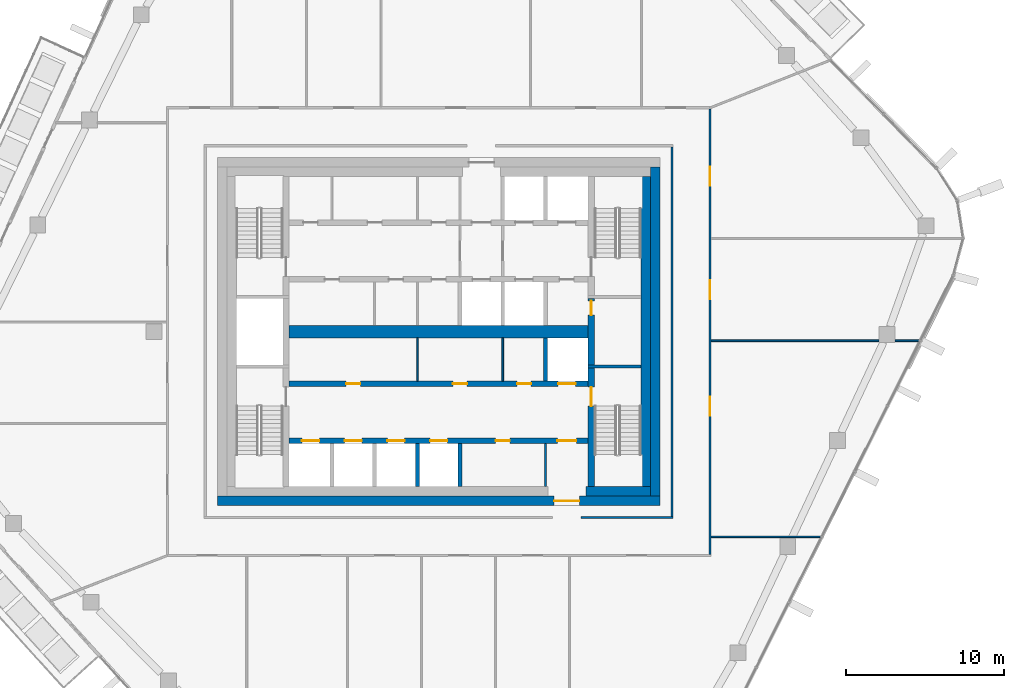
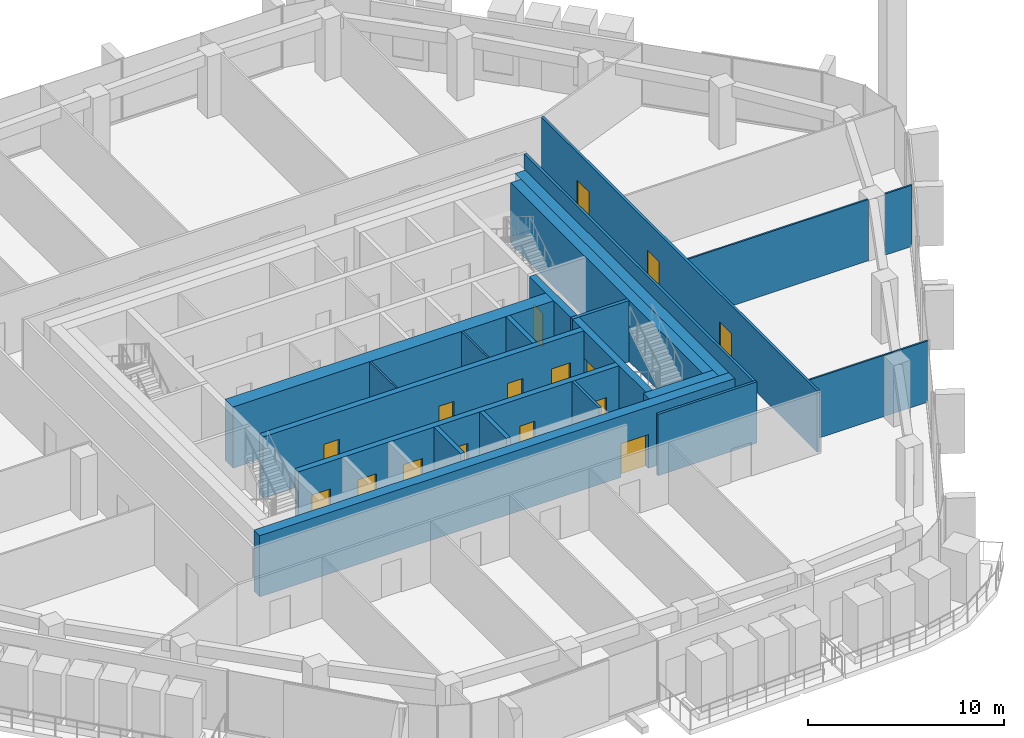
# One storey, part 14 of 24: 22 walls, 16 doors, 16 openings.
"""IFC4 building model written with IfcOpenShell, lengths in metres."""

import ifcopenshell
import ifcopenshell.guid

model = None  # the IFC model being written
_history = None  # IfcOwnerHistory: only IFC2X3 demands one
_inside = {}  # id of a spatial element -> (the spatial element, [elements in it])
_under = {}  # id of a project, library or spatial element -> (it, [spatial elements below it])
_declared = {}  # id of a project -> (the project, [libraries it declares])
_typed = {}  # id of a type object -> (the type object, [elements of that type])
_made_of = {}  # id of a material, layer set ... -> (it, [elements and type objects made of it])


def new_model(schema):
    """Start an empty IFC model of exactly this schema.

    Asked for "IFC4X3", IfcOpenShell would pick the latest addendum, in which some entities
    have other attributes; the version numbers below select the first issue.
    IFC2X3 requires an IfcOwnerHistory on every rooted entity: one is made here for all.
    """
    global model, _history
    if schema == "IFC4X3":
        model = ifcopenshell.file(schema_version=(4, 3, 0, 0))
    else:
        model = ifcopenshell.file(schema=schema)
    _inside.clear()
    _under.clear()
    _declared.clear()
    _typed.clear()
    _made_of.clear()
    _history = None
    if model.schema == "IFC2X3":
        org = make("IfcOrganization", Name="unknown")
        user = make(
            "IfcPersonAndOrganization",
            ThePerson=make("IfcPerson", FamilyName="unknown"),
            TheOrganization=org,
        )
        app = make(
            "IfcApplication",
            ApplicationDeveloper=org,
            Version="unknown",
            ApplicationFullName="unknown",
            ApplicationIdentifier="unknown",
        )
        _history = make(
            "IfcOwnerHistory",
            OwningUser=user,
            OwningApplication=app,
            ChangeAction="ADDED",
            CreationDate=0,
        )
    return model


def make(cls, **values):
    """One entity of the class cls with the attributes given. An attribute that is None is left unset."""
    return model.create_entity(
        cls, **{name: value for name, value in values.items() if value is not None}
    )


def rooted(cls, **values):
    """An entity with a GlobalId (a new one), such as an element, a storey or a relation."""
    return make(cls, GlobalId=ifcopenshell.guid.new(), OwnerHistory=_history, **values)


def si_unit(unit_type, name, prefix=None):
    """IfcSIUnit, for example si_unit("LENGTHUNIT", "METRE", prefix="MILLI")."""
    return make("IfcSIUnit", UnitType=unit_type, Prefix=prefix, Name=name)


def assignment(units):
    """IfcUnitAssignment: the units of a project."""
    return None if units is None else make("IfcUnitAssignment", Units=units)


def point(xyz):
    """IfcCartesianPoint."""
    return None if xyz is None else make("IfcCartesianPoint", Coordinates=xyz)


def direction(xyz):
    """IfcDirection."""
    return None if xyz is None else make("IfcDirection", DirectionRatios=xyz)


def frame(location, z_axis=None, x_axis=None):
    """IfcAxis2Placement3D, a coordinate frame: its origin and axes. An axis left out is left unset."""
    return make(
        "IfcAxis2Placement3D",
        Location=point(location),
        Axis=direction(z_axis),
        RefDirection=direction(x_axis),
    )


def frame_2d(location, x_axis=None):
    """IfcAxis2Placement2D, a coordinate frame in the plane: its origin and x axis."""
    return make(
        "IfcAxis2Placement2D", Location=point(location), RefDirection=direction(x_axis)
    )


def origin():
    """The frame at (0, 0, 0) with its axes left unset."""
    return frame((0.0, 0.0, 0.0))


def place(relative_to, where):
    """IfcLocalPlacement: puts the frame where relative to a parent placement (None: the world)."""
    return make(
        "IfcLocalPlacement", PlacementRelTo=relative_to, RelativePlacement=where
    )


def context(
    kind, dimensions, precision=None, world=None, true_north=None, identifier=None
):
    """IfcGeometricRepresentationContext, for example the 3D "Model" context."""
    return make(
        "IfcGeometricRepresentationContext",
        ContextIdentifier=identifier,
        ContextType=kind,
        CoordinateSpaceDimension=dimensions,
        Precision=precision,
        WorldCoordinateSystem=world,
        TrueNorth=true_north,
    )


def subcontext(parent, identifier, kind, view, scale=None):
    """IfcGeometricRepresentationSubContext, for example "Body" below "Model"."""
    return make(
        "IfcGeometricRepresentationSubContext",
        ContextIdentifier=identifier,
        ContextType=kind,
        ParentContext=parent,
        TargetScale=scale,
        TargetView=view,
    )


def project(units=None, contexts=None):
    """IfcProject with its units and contexts."""
    return rooted(
        "IfcProject",
        Name="project",
        RepresentationContexts=contexts,
        UnitsInContext=assignment(units),
    )


def spatial(cls, under=None, at=None, **own):
    """A site, building, storey or space (cls), placed at a placement, below another one or the project."""
    s = rooted(cls, ObjectPlacement=at, **own)
    if under is not None:
        _under.setdefault(under.id(), (under, []))[1].append(s)
    return s


def profile(cls, at=None, kind="AREA", **sizes):
    """A parametric profile (cls). Its sizes go by their IFC names, for example OverallWidth=200.0."""
    return make(cls, ProfileType=kind, Position=at, **sizes)


def rectangle(**sizes):
    """IfcRectangleProfileDef."""
    return profile("IfcRectangleProfileDef", **sizes)


def extrude(swept, where, along, depth):
    """IfcExtrudedAreaSolid: the profile swept, set in the frame where, extruded along a direction by depth."""
    return make(
        "IfcExtrudedAreaSolid",
        SweptArea=swept,
        Position=where,
        ExtrudedDirection=direction(along),
        Depth=depth,
    )


def shape(context_of_items, identifier, shape_type, items):
    """IfcShapeRepresentation: the items that make up one representation, for example the "Body"."""
    return make(
        "IfcShapeRepresentation",
        ContextOfItems=context_of_items,
        RepresentationIdentifier=identifier,
        RepresentationType=shape_type,
        Items=items,
    )


def material(Name=None, Category=None):
    """IfcMaterial."""
    return make("IfcMaterial", Name=Name, Category=Category)


def layer(
    of_material, thickness, ventilated=None, Name=None, Category=None, Priority=None
):
    """IfcMaterialLayer: one layer of a wall or slab, of a material (None: an air gap)."""
    return make(
        "IfcMaterialLayer",
        Material=of_material,
        LayerThickness=thickness,
        IsVentilated=ventilated,
        Name=Name,
        Category=Category,
        Priority=Priority,
    )


def layer_set(layers, Name=None):
    """IfcMaterialLayerSet."""
    return make("IfcMaterialLayerSet", MaterialLayers=layers, LayerSetName=Name)


def made_of(thing, what):
    """Note that an element or type object is made of a material, layer set ...; save() writes the relation."""
    if what is not None:
        _made_of.setdefault(what.id(), (what, []))[1].append(thing)
    return thing


def type_object(cls, material=None, **own):
    """A type object (cls), such as IfcWallType, which elements share."""
    return made_of(rooted(cls, **own), material)


def element(
    cls,
    number,
    at=None,
    inside=None,
    cuts=None,
    type_object=None,
    material=None,
    context=None,
    identifier="Body",
    shape_type=None,
    held_by="IfcProductDefinitionShape",
    body=None,
    shapes=None,
    **own,
):
    """One element of the class cls, such as IfcWall. Its Tag is "e" and its number.

    at: its placement. inside: the storey or other place that contains it. cuts: it is an
    opening in that element (IfcRelVoidsElement). A single representation is given by context,
    identifier, shape_type and body (its items); several are given by shapes. held_by: the class
    of the entity that holds the representations. save() writes the other relations.
    """
    e = rooted(cls, Tag="e%d" % number, ObjectPlacement=at, **own)
    if body is not None:
        shapes = [shape(context, identifier, shape_type, body)]
    if shapes is not None:
        e.Representation = make(held_by, Representations=shapes)
    if inside is not None:
        _inside.setdefault(inside.id(), (inside, []))[1].append(e)
    if cuts is not None:
        rooted(
            "IfcRelVoidsElement", RelatingBuildingElement=cuts, RelatedOpeningElement=e
        )
    if type_object is not None:
        _typed.setdefault(type_object.id(), (type_object, []))[1].append(e)
    return made_of(e, material)


def fill(opening, filler):
    """IfcRelFillsElement: the door or window that sits in an opening."""
    return rooted(
        "IfcRelFillsElement",
        RelatingOpeningElement=opening,
        RelatedBuildingElement=filler,
    )


def aggregate(whole, parts):
    """IfcRelAggregates: a whole, such as a stair, and the parts it consists of."""
    return rooted("IfcRelAggregates", RelatingObject=whole, RelatedObjects=parts)


def save(model, path):
    """Write the relations noted so far, then the file.

    IfcRelAggregates (storeys below a building ...), IfcRelContainedInSpatialStructure (elements
    in a storey), IfcRelDefinesByType, IfcRelAssociatesMaterial and IfcRelDeclares: one each for
    every whole, place, type object, material and project.
    """
    for whole, parts in _under.values():
        aggregate(whole, parts)
    for where, things in _inside.values():
        rooted(
            "IfcRelContainedInSpatialStructure",
            RelatedElements=things,
            RelatingStructure=where,
        )
    for kind, things in _typed.values():
        rooted("IfcRelDefinesByType", RelatedObjects=things, RelatingType=kind)
    for what, things in _made_of.values():
        rooted("IfcRelAssociatesMaterial", RelatedObjects=things, RelatingMaterial=what)
    for by, libraries in _declared.values():
        rooted("IfcRelDeclares", RelatingContext=by, RelatedDefinitions=libraries)
    model.write(path)


model = new_model("IFC4")

# Units and contexts
model_context = context("Model", 3, precision=1e-05, world=origin(), true_north=direction((0.0, 1.0)))
body_context = subcontext(model_context, "Body", "Model", "MODEL_VIEW")
ifc_project = project(units=[si_unit("LENGTHUNIT", "METRE"), si_unit("AREAUNIT", "SQUARE_METRE"), si_unit("VOLUMEUNIT", "CUBIC_METRE"), si_unit("PLANEANGLEUNIT", "RADIAN"), si_unit("MASSUNIT", "GRAM", prefix="KILO")], contexts=[model_context])

# Site, building, storey
site_placement = place(None, origin())
site = spatial("IfcSite", under=ifc_project, at=site_placement, CompositionType="ELEMENT")
building_placement = place(site_placement, origin())
building = spatial("IfcBuilding", under=site, at=building_placement, Name="Dongbaek Canopy Tower", CompositionType="ELEMENT")
storey_placement = place(building_placement, frame((0.0, 0.0, 306.800048828125)))
storey = spatial("IfcBuildingStorey", under=building, at=storey_placement, Name="L65", CompositionType="ELEMENT", Elevation=306.800048828125)

# Wall
ifc_material_1 = material(Name="Concrete C60/75", Category="concrete")
ifc_layer_1 = layer(ifc_material_1, 0.800048828125)
ifc_layer_set_1 = layer_set([ifc_layer_1], Name="Core central wall 800 Concrete C60/75")
wall_type_1 = type_object("IfcWallType", Name="Core central wall 800 Concrete C60/75", PredefinedType="SHEAR", material=ifc_layer_set_1)
wall_1_placement = place(storey_placement, frame((-9.449951171875, 0.0, 0.0), z_axis=(0.0, 0.0, 1.0), x_axis=(1.0, 0.0, 0.0)))
element("IfcWall", 1, at=wall_1_placement, inside=storey, type_object=wall_type_1, Name="Core wall", PredefinedType="SHEAR", context=body_context, shape_type="SweptSolid", body=[
    extrude(rectangle(XDim=18.89990234375, YDim=0.800048828125, at=frame_2d((9.449951171875, 0.0))), origin(), (0.0, 0.0, 1.0), 3.820068359375),
])

# Wall, openings, doors
ifc_material_2 = material(Name="Concrete C60/75", Category="concrete")
ifc_layer_2 = layer(ifc_material_2, 0.35009765625)
ifc_layer_set_2 = layer_set([ifc_layer_2], Name="Core lobby wall 350 Concrete C60/75")
wall_type_2 = type_object("IfcWallType", Name="Core lobby wall 350 Concrete C60/75", PredefinedType="SHEAR", material=ifc_layer_set_2)
wall_2_placement = place(storey_placement, frame((-9.449951171875, -3.300048828125, 0.0), z_axis=(0.0, 0.0, 1.0), x_axis=(1.0, 0.0, 0.0)))
wall_2 = element("IfcWall", 2, at=wall_2_placement, inside=storey, type_object=wall_type_2, Name="Core wall", PredefinedType="SHEAR", context=body_context, shape_type="SweptSolid", body=[
    extrude(rectangle(XDim=18.89990234375, YDim=0.35009765625, at=frame_2d((9.449951171875, 0.0))), origin(), (0.0, 0.0, 1.0), 3.820068359375),
])
opening_1_placement = place(wall_2_placement, frame((17.0, 0.0, 0.0)))
opening_1 = element("IfcOpeningElement", 3, at=opening_1_placement, cuts=wall_2, Name="Opening L65-D027", PredefinedType="OPENING", context=body_context, shape_type="SweptSolid", body=[
    extrude(rectangle(XDim=1.10009765625, YDim=2.10009765625, at=frame_2d((0.550048828125, 1.050048828125))), frame((0.0, 0.18505859375, 0.0), z_axis=(0.0, -1.0, 0.0), x_axis=(1.0, 0.0, 0.0)), (0.0, 0.0, 1.0), 0.3701171875),
])
opening_2_placement = place(wall_2_placement, frame((3.60009765625, 0.0, 0.0)))
opening_2 = element("IfcOpeningElement", 4, at=opening_2_placement, cuts=wall_2, Name="Opening L65-D040", PredefinedType="OPENING", context=body_context, shape_type="SweptSolid", body=[
    extrude(rectangle(XDim=0.89990234375, YDim=2.10009765625, at=frame_2d((0.449951171875, 1.050048828125))), frame((0.0, 0.18505859375, 0.0), z_axis=(0.0, -1.0, 0.0), x_axis=(1.0, 0.0, 0.0)), (0.0, 0.0, 1.0), 0.3701171875),
])
opening_3_placement = place(wall_2_placement, frame((10.35009765625, 0.0, 0.0)))
opening_3 = element("IfcOpeningElement", 5, at=opening_3_placement, cuts=wall_2, Name="Opening L65-D041", PredefinedType="OPENING", context=body_context, shape_type="SweptSolid", body=[
    extrude(rectangle(XDim=0.89990234375, YDim=2.10009765625, at=frame_2d((0.449951171875, 1.050048828125))), frame((0.0, 0.18505859375, 0.0), z_axis=(0.0, -1.0, 0.0), x_axis=(1.0, 0.0, 0.0)), (0.0, 0.0, 1.0), 0.3701171875),
])
opening_4_placement = place(wall_2_placement, frame((14.39990234375, 0.0, 0.0)))
opening_4 = element("IfcOpeningElement", 6, at=opening_4_placement, cuts=wall_2, Name="Opening L65-D042", PredefinedType="OPENING", context=body_context, shape_type="SweptSolid", body=[
    extrude(rectangle(XDim=0.89990234375, YDim=2.10009765625, at=frame_2d((0.449951171875, 1.050048828125))), frame((0.0, 0.18505859375, 0.0), z_axis=(0.0, -1.0, 0.0), x_axis=(1.0, 0.0, 0.0)), (0.0, 0.0, 1.0), 0.3701171875),
])
ifc_material_3 = material(Name="Steel", Category="steel")
door_type_1 = type_object("IfcDoorType", Name="Core room door 900 x 2100", OperationType="SINGLE_SWING_LEFT", PredefinedType="DOOR", material=ifc_material_3)
door_1_placement = place(opening_2_placement, origin())
door_1 = element("IfcDoor", 7, at=door_1_placement, inside=storey, type_object=door_type_1, Name="Door L65-D040", OperationType="SINGLE_SWING_RIGHT", OverallHeight=2.10009765625, OverallWidth=0.89990234375, PredefinedType="DOOR", context=body_context, shape_type="SweptSolid", body=[
    extrude(rectangle(XDim=0.89990234375, YDim=2.10009765625, at=frame_2d((0.449951171875, 1.050048828125))), frame((0.0, 0.02490234375, 0.0), z_axis=(0.0, -1.0, 0.0), x_axis=(1.0, 0.0, 0.0)), (0.0, 0.0, 1.0), 0.050048828125),
])
fill(opening_2, door_1)
door_2_placement = place(opening_3_placement, origin())
door_2 = element("IfcDoor", 8, at=door_2_placement, inside=storey, type_object=door_type_1, Name="Door L65-D041", OperationType="SINGLE_SWING_LEFT", OverallHeight=2.10009765625, OverallWidth=0.89990234375, PredefinedType="DOOR", context=body_context, shape_type="SweptSolid", body=[
    extrude(rectangle(XDim=0.89990234375, YDim=2.10009765625, at=frame_2d((0.449951171875, 1.050048828125))), frame((0.0, 0.02490234375, 0.0), z_axis=(0.0, -1.0, 0.0), x_axis=(1.0, 0.0, 0.0)), (0.0, 0.0, 1.0), 0.050048828125),
])
fill(opening_3, door_2)
door_3_placement = place(opening_4_placement, origin())
door_3 = element("IfcDoor", 9, at=door_3_placement, inside=storey, type_object=door_type_1, Name="Door L65-D042", OperationType="SINGLE_SWING_RIGHT", OverallHeight=2.10009765625, OverallWidth=0.89990234375, PredefinedType="DOOR", context=body_context, shape_type="SweptSolid", body=[
    extrude(rectangle(XDim=0.89990234375, YDim=2.10009765625, at=frame_2d((0.449951171875, 1.050048828125))), frame((0.0, 0.02490234375, 0.0), z_axis=(0.0, -1.0, 0.0), x_axis=(1.0, 0.0, 0.0)), (0.0, 0.0, 1.0), 0.050048828125),
])
fill(opening_4, door_3)
ifc_material_4 = material(Name="Stainless steel", Category="steel")
door_type_2 = type_object("IfcDoorType", Name="Lift landing door 1100 x 2100", OperationType="DOUBLE_DOOR_SLIDING", PredefinedType="DOOR", material=ifc_material_4)
door_4_placement = place(opening_1_placement, origin())
door_4 = element("IfcDoor", 10, at=door_4_placement, inside=storey, type_object=door_type_2, Name="Landing door SV2", OperationType="DOUBLE_DOOR_SLIDING", OverallHeight=2.10009765625, OverallWidth=1.10009765625, PredefinedType="DOOR", context=body_context, shape_type="SweptSolid", body=[
    extrude(rectangle(XDim=1.10009765625, YDim=2.10009765625, at=frame_2d((0.550048828125, 1.050048828125))), frame((0.0, 0.02490234375, 0.0), z_axis=(0.0, -1.0, 0.0), x_axis=(1.0, 0.0, 0.0)), (0.0, 0.0, 1.0), 0.050048828125),
])
fill(opening_1, door_4)

wall_3_placement = place(storey_placement, frame((9.449951171875, -6.89990234375, 0.0), z_axis=(0.0, 0.0, 1.0), x_axis=(-1.0, 0.0, 0.0)))
wall_3 = element("IfcWall", 11, at=wall_3_placement, inside=storey, type_object=wall_type_2, Name="Core wall", PredefinedType="SHEAR", context=body_context, shape_type="SweptSolid", body=[
    extrude(rectangle(XDim=18.89990234375, YDim=0.35009765625, at=frame_2d((9.449951171875, 0.0))), origin(), (0.0, 0.0, 1.0), 3.820068359375),
])
opening_5_placement = place(wall_3_placement, frame((17.0, 0.0, 0.0)))
opening_5 = element("IfcOpeningElement", 12, at=opening_5_placement, cuts=wall_3, Name="Opening L65-D028", PredefinedType="OPENING", context=body_context, shape_type="SweptSolid", body=[
    extrude(rectangle(XDim=1.10009765625, YDim=2.10009765625, at=frame_2d((0.550048828125, 1.050048828125))), frame((0.0, 0.18505859375, 0.0), z_axis=(0.0, -1.0, 0.0), x_axis=(1.0, 0.0, 0.0)), (0.0, 0.0, 1.0), 0.3701171875),
])
opening_6_placement = place(wall_3_placement, frame((14.300048828125, 0.0, 0.0)))
opening_6 = element("IfcOpeningElement", 13, at=opening_6_placement, cuts=wall_3, Name="Opening L65-D029", PredefinedType="OPENING", context=body_context, shape_type="SweptSolid", body=[
    extrude(rectangle(XDim=1.10009765625, YDim=2.10009765625, at=frame_2d((0.550048828125, 1.050048828125))), frame((0.0, 0.18505859375, 0.0), z_axis=(0.0, -1.0, 0.0), x_axis=(1.0, 0.0, 0.0)), (0.0, 0.0, 1.0), 0.3701171875),
])
opening_7_placement = place(wall_3_placement, frame((11.60009765625, 0.0, 0.0)))
opening_7 = element("IfcOpeningElement", 14, at=opening_7_placement, cuts=wall_3, Name="Opening L65-D030", PredefinedType="OPENING", context=body_context, shape_type="SweptSolid", body=[
    extrude(rectangle(XDim=1.10009765625, YDim=2.10009765625, at=frame_2d((0.550048828125, 1.050048828125))), frame((0.0, 0.18505859375, 0.0), z_axis=(0.0, -1.0, 0.0), x_axis=(1.0, 0.0, 0.0)), (0.0, 0.0, 1.0), 0.3701171875),
])
opening_8_placement = place(wall_3_placement, frame((8.89990234375, 0.0, 0.0)))
opening_8 = element("IfcOpeningElement", 15, at=opening_8_placement, cuts=wall_3, Name="Opening L65-D031", PredefinedType="OPENING", context=body_context, shape_type="SweptSolid", body=[
    extrude(rectangle(XDim=1.10009765625, YDim=2.10009765625, at=frame_2d((0.550048828125, 1.050048828125))), frame((0.0, 0.18505859375, 0.0), z_axis=(0.0, -1.0, 0.0), x_axis=(1.0, 0.0, 0.0)), (0.0, 0.0, 1.0), 0.3701171875),
])
opening_9_placement = place(wall_3_placement, frame((0.75, 0.0, 0.0)))
opening_9 = element("IfcOpeningElement", 16, at=opening_9_placement, cuts=wall_3, Name="Opening L65-D033", PredefinedType="OPENING", context=body_context, shape_type="SweptSolid", body=[
    extrude(rectangle(XDim=1.199951171875, YDim=2.10009765625, at=frame_2d((0.60009765625, 1.050048828125))), frame((0.0, 0.18505859375, 0.0), z_axis=(0.0, -1.0, 0.0), x_axis=(1.0, 0.0, 0.0)), (0.0, 0.0, 1.0), 0.3701171875),
])
opening_10_placement = place(wall_3_placement, frame((4.949951171875, 0.0, 0.0)))
opening_10 = element("IfcOpeningElement", 17, at=opening_10_placement, cuts=wall_3, Name="Opening L65-D043", PredefinedType="OPENING", context=body_context, shape_type="SweptSolid", body=[
    extrude(rectangle(XDim=0.89990234375, YDim=2.10009765625, at=frame_2d((0.449951171875, 1.050048828125))), frame((0.0, 0.18505859375, 0.0), z_axis=(0.0, -1.0, 0.0), x_axis=(1.0, 0.0, 0.0)), (0.0, 0.0, 1.0), 0.3701171875),
])
door_5_placement = place(opening_10_placement, origin())
door_5 = element("IfcDoor", 18, at=door_5_placement, inside=storey, type_object=door_type_1, Name="Door L65-D043", OperationType="SINGLE_SWING_LEFT", OverallHeight=2.10009765625, OverallWidth=0.89990234375, PredefinedType="DOOR", context=body_context, shape_type="SweptSolid", body=[
    extrude(rectangle(XDim=0.89990234375, YDim=2.10009765625, at=frame_2d((0.449951171875, 1.050048828125))), frame((0.0, 0.02490234375, 0.0), z_axis=(0.0, -1.0, 0.0), x_axis=(1.0, 0.0, 0.0)), (0.0, 0.0, 1.0), 0.050048828125),
])
fill(opening_10, door_5)
ifc_material_5 = material(Name="Steel", Category="steel")
door_type_3 = type_object("IfcDoorType", Name="Fire lobby door 1200 x 2100", OperationType="SINGLE_SWING_LEFT", PredefinedType="DOOR", material=ifc_material_5)
door_6_placement = place(opening_9_placement, origin())
door_6 = element("IfcDoor", 19, at=door_6_placement, inside=storey, type_object=door_type_3, Name="Door L65-D033", OperationType="SINGLE_SWING_LEFT", OverallHeight=2.10009765625, OverallWidth=1.199951171875, PredefinedType="DOOR", context=body_context, shape_type="SweptSolid", body=[
    extrude(rectangle(XDim=1.199951171875, YDim=2.10009765625, at=frame_2d((0.60009765625, 1.050048828125))), frame((0.0, 0.02490234375, 0.0), z_axis=(0.0, -1.0, 0.0), x_axis=(1.0, 0.0, 0.0)), (0.0, 0.0, 1.0), 0.050048828125),
])
fill(opening_9, door_6)
door_7_placement = place(opening_5_placement, origin())
door_7 = element("IfcDoor", 20, at=door_7_placement, inside=storey, type_object=door_type_2, Name="Landing door HR1", OperationType="DOUBLE_DOOR_SLIDING", OverallHeight=2.10009765625, OverallWidth=1.10009765625, PredefinedType="DOOR", context=body_context, shape_type="SweptSolid", body=[
    extrude(rectangle(XDim=1.10009765625, YDim=2.10009765625, at=frame_2d((0.550048828125, 1.050048828125))), frame((0.0, 0.02490234375, 0.0), z_axis=(0.0, -1.0, 0.0), x_axis=(1.0, 0.0, 0.0)), (0.0, 0.0, 1.0), 0.050048828125),
])
fill(opening_5, door_7)
door_8_placement = place(opening_6_placement, origin())
door_8 = element("IfcDoor", 21, at=door_8_placement, inside=storey, type_object=door_type_2, Name="Landing door HR2", OperationType="DOUBLE_DOOR_SLIDING", OverallHeight=2.10009765625, OverallWidth=1.10009765625, PredefinedType="DOOR", context=body_context, shape_type="SweptSolid", body=[
    extrude(rectangle(XDim=1.10009765625, YDim=2.10009765625, at=frame_2d((0.550048828125, 1.050048828125))), frame((0.0, 0.02490234375, 0.0), z_axis=(0.0, -1.0, 0.0), x_axis=(1.0, 0.0, 0.0)), (0.0, 0.0, 1.0), 0.050048828125),
])
fill(opening_6, door_8)
door_9_placement = place(opening_7_placement, origin())
door_9 = element("IfcDoor", 22, at=door_9_placement, inside=storey, type_object=door_type_2, Name="Landing door HR3", OperationType="DOUBLE_DOOR_SLIDING", OverallHeight=2.10009765625, OverallWidth=1.10009765625, PredefinedType="DOOR", context=body_context, shape_type="SweptSolid", body=[
    extrude(rectangle(XDim=1.10009765625, YDim=2.10009765625, at=frame_2d((0.550048828125, 1.050048828125))), frame((0.0, 0.02490234375, 0.0), z_axis=(0.0, -1.0, 0.0), x_axis=(1.0, 0.0, 0.0)), (0.0, 0.0, 1.0), 0.050048828125),
])
fill(opening_7, door_9)
door_10_placement = place(opening_8_placement, origin())
door_10 = element("IfcDoor", 23, at=door_10_placement, inside=storey, type_object=door_type_2, Name="Landing door HR4", OperationType="DOUBLE_DOOR_SLIDING", OverallHeight=2.10009765625, OverallWidth=1.10009765625, PredefinedType="DOOR", context=body_context, shape_type="SweptSolid", body=[
    extrude(rectangle(XDim=1.10009765625, YDim=2.10009765625, at=frame_2d((0.550048828125, 1.050048828125))), frame((0.0, 0.02490234375, 0.0), z_axis=(0.0, -1.0, 0.0), x_axis=(1.0, 0.0, 0.0)), (0.0, 0.0, 1.0), 0.050048828125),
])
fill(opening_8, door_10)

# Wall, opening, door
ifc_material_6 = material(Name="Concrete C80/95", Category="concrete")
ifc_layer_3 = layer(ifc_material_6, 0.60009765625)
ifc_layer_set_3 = layer_set([ifc_layer_3], Name="Core outer wall 600 Concrete C80/95")
wall_type_3 = type_object("IfcWallType", Name="Core outer wall 600 Concrete C80/95", PredefinedType="SHEAR", material=ifc_layer_set_3)
wall_4_placement = place(storey_placement, frame((14.0, -10.699951171875, 0.0), z_axis=(0.0, 0.0, 1.0), x_axis=(-1.0, 0.0, 0.0)))
wall_4 = element("IfcWall", 24, at=wall_4_placement, inside=storey, type_object=wall_type_3, Name="Core wall", PredefinedType="SHEAR", context=body_context, shape_type="SweptSolid", body=[
    extrude(rectangle(XDim=28.0, YDim=0.60009765625, at=frame_2d((14.0, 0.0))), origin(), (0.0, 0.0, 1.0), 3.820068359375),
])
opening_11_placement = place(wall_4_placement, frame((5.10009765625, 0.0, 0.0)))
opening_11 = element("IfcOpeningElement", 25, at=opening_11_placement, cuts=wall_4, Name="Opening L65-D032", PredefinedType="OPENING", context=body_context, shape_type="SweptSolid", body=[
    extrude(rectangle(XDim=1.60009765625, YDim=2.10009765625, at=frame_2d((0.800048828125, 1.050048828125))), frame((0.0, 0.31005859375, 0.0), z_axis=(0.0, -1.0, 0.0), x_axis=(1.0, 0.0, 0.0)), (0.0, 0.0, 1.0), 0.6201171875),
])
ifc_material_7 = material(Name="Steel", Category="steel")
door_type_4 = type_object("IfcDoorType", Name="Core exit door 1600 x 2100", OperationType="DOUBLE_DOOR_SINGLE_SWING", PredefinedType="DOOR", material=ifc_material_7)
door_11_placement = place(opening_11_placement, origin())
door_11 = element("IfcDoor", 26, at=door_11_placement, inside=storey, type_object=door_type_4, Name="Core exit door", OperationType="DOUBLE_DOOR_SINGLE_SWING", OverallHeight=2.10009765625, OverallWidth=1.60009765625, PredefinedType="DOOR", context=body_context, shape_type="SweptSolid", body=[
    extrude(rectangle(XDim=1.60009765625, YDim=2.10009765625, at=frame_2d((0.800048828125, 1.050048828125))), frame((0.0, 0.02490234375, 0.0), z_axis=(0.0, -1.0, 0.0), x_axis=(1.0, 0.0, 0.0)), (0.0, 0.0, 1.0), 0.050048828125),
])
fill(opening_11, door_11)

# Walls
wall_5_placement = place(storey_placement, frame((13.699951171875, 10.39990234375, 0.0), z_axis=(0.0, 0.0, 1.0), x_axis=(0.0, -1.0, 0.0)))
element("IfcWall", 27, at=wall_5_placement, inside=storey, type_object=wall_type_3, Name="Core wall", PredefinedType="SHEAR", context=body_context, shape_type="SweptSolid", body=[
    extrude(rectangle(XDim=20.7998046875, YDim=0.60009765625, at=frame_2d((10.39990234375, 0.0))), origin(), (0.0, 0.0, 1.0), 3.820068359375),
])
ifc_material_8 = material(Name="Concrete C60/75", Category="concrete")
ifc_layer_4 = layer(ifc_material_8, 0.60009765625)
ifc_layer_set_4 = layer_set([ifc_layer_4], Name="Core wall lining 600 Concrete C60/75")
wall_type_4 = type_object("IfcWallType", Name="Core wall lining 600 Concrete C60/75", PredefinedType="SHEAR", material=ifc_layer_set_4)
wall_6_placement = place(storey_placement, frame((13.39990234375, -10.10009765625, 0.0), z_axis=(0.0, 0.0, 1.0), x_axis=(-1.0, 0.0, 0.0)))
element("IfcWall", 28, at=wall_6_placement, inside=storey, type_object=wall_type_4, Name="Core wall lining", PredefinedType="SHEAR", context=body_context, shape_type="SweptSolid", body=[
    extrude(rectangle(XDim=4.099853515625, YDim=0.60009765625, at=frame_2d((2.0498046875, 0.0))), origin(), (0.0, 0.0, 1.0), 3.820068359375),
])
wall_7_placement = place(storey_placement, frame((13.10009765625, 9.800048828125, 0.0), z_axis=(0.0, 0.0, 1.0), x_axis=(0.0, -1.0, 0.0)))
element("IfcWall", 29, at=wall_7_placement, inside=storey, type_object=wall_type_4, Name="Core wall lining", PredefinedType="SHEAR", context=body_context, shape_type="SweptSolid", body=[
    extrude(rectangle(XDim=19.60009765625, YDim=0.60009765625, at=frame_2d((9.800048828125, 0.0))), origin(), (0.0, 0.0, 1.0), 3.820068359375),
])
ifc_material_9 = material(Name="Gypsum board partition, steel stud, 2 x 15 mm fire board", Category="steel")
ifc_layer_5 = layer(ifc_material_9, 0.14990234375)
ifc_layer_set_5 = layer_set([ifc_layer_5], Name="Fire-rated partition 150 gypsum board")
wall_type_5 = type_object("IfcWallType", Name="Fire-rated partition 150 gypsum board", PredefinedType="PARTITIONING", material=ifc_layer_set_5)
wall_8_placement = place(storey_placement, frame((9.0, -11.75, 0.0), z_axis=(0.0, 0.0, 1.0), x_axis=(1.0, 0.0, 0.0)))
element("IfcWall", 30, at=wall_8_placement, inside=storey, type_object=wall_type_5, Name="Corridor partition", PredefinedType="PARTITIONING", context=body_context, shape_type="SweptSolid", body=[
    extrude(rectangle(XDim=5.824951171875, YDim=0.14990234375, at=frame_2d((2.91259765625, 0.0))), origin(), (0.0, 0.0, 1.0), 3.820068359375),
])

# Wall, openings, doors
wall_9_placement = place(storey_placement, frame((17.14990234375, 14.074951171875, 0.0), z_axis=(0.0, 0.0, 1.0), x_axis=(0.0, -1.0, 0.0)))
wall_9 = element("IfcWall", 31, at=wall_9_placement, inside=storey, type_object=wall_type_5, Name="Corridor partition", PredefinedType="PARTITIONING", context=body_context, shape_type="SweptSolid", body=[
    extrude(rectangle(XDim=28.14990234375, YDim=0.14990234375, at=frame_2d((14.074951171875, 0.0))), origin(), (0.0, 0.0, 1.0), 3.820068359375),
])
opening_12_placement = place(wall_9_placement, frame((18.18212890625, 0.0, 0.0)))
opening_12 = element("IfcOpeningElement", 32, at=opening_12_placement, cuts=wall_9, Name="Opening L65-D009", PredefinedType="OPENING", context=body_context, shape_type="SweptSolid", body=[
    extrude(rectangle(XDim=1.199951171875, YDim=2.10009765625, at=frame_2d((0.60009765625, 1.050048828125))), frame((0.0, 0.0849609375, 0.0), z_axis=(0.0, -1.0, 0.0), x_axis=(1.0, 0.0, 0.0)), (0.0, 0.0, 1.0), 0.169921875),
])
opening_13_placement = place(wall_9_placement, frame((10.811279296875, 0.0, 0.0)))
opening_13 = element("IfcOpeningElement", 33, at=opening_13_placement, cuts=wall_9, Name="Opening L65-D010", PredefinedType="OPENING", context=body_context, shape_type="SweptSolid", body=[
    extrude(rectangle(XDim=1.199951171875, YDim=2.10009765625, at=frame_2d((0.60009765625, 1.050048828125))), frame((0.0, 0.0849609375, 0.0), z_axis=(0.0, -1.0, 0.0), x_axis=(1.0, 0.0, 0.0)), (0.0, 0.0, 1.0), 0.169921875),
])
opening_14_placement = place(wall_9_placement, frame((3.64697265625, 0.0, 0.0)))
opening_14 = element("IfcOpeningElement", 34, at=opening_14_placement, cuts=wall_9, Name="Opening L65-D011", PredefinedType="OPENING", context=body_context, shape_type="SweptSolid", body=[
    extrude(rectangle(XDim=1.199951171875, YDim=2.10009765625, at=frame_2d((0.60009765625, 1.050048828125))), frame((0.0, 0.0849609375, 0.0), z_axis=(0.0, -1.0, 0.0), x_axis=(1.0, 0.0, 0.0)), (0.0, 0.0, 1.0), 0.169921875),
])
ifc_material_10 = material(Name="Timber veneered door leaf", Category="wood")
door_type_5 = type_object("IfcDoorType", Name="Room door 1200 x 2100", OperationType="SINGLE_SWING_LEFT", PredefinedType="DOOR", material=ifc_material_10)
door_12_placement = place(opening_12_placement, origin())
door_12 = element("IfcDoor", 35, at=door_12_placement, inside=storey, type_object=door_type_5, Name="Door L65-D009", OperationType="SINGLE_SWING_RIGHT", OverallHeight=2.10009765625, OverallWidth=1.199951171875, PredefinedType="DOOR", context=body_context, shape_type="SweptSolid", body=[
    extrude(rectangle(XDim=1.199951171875, YDim=2.10009765625, at=frame_2d((0.60009765625, 1.050048828125))), frame((0.0, 0.02490234375, 0.0), z_axis=(0.0, -1.0, 0.0), x_axis=(1.0, 0.0, 0.0)), (0.0, 0.0, 1.0), 0.050048828125),
])
fill(opening_12, door_12)
door_13_placement = place(opening_13_placement, origin())
door_13 = element("IfcDoor", 36, at=door_13_placement, inside=storey, type_object=door_type_5, Name="Door L65-D010", OperationType="SINGLE_SWING_LEFT", OverallHeight=2.10009765625, OverallWidth=1.199951171875, PredefinedType="DOOR", context=body_context, shape_type="SweptSolid", body=[
    extrude(rectangle(XDim=1.199951171875, YDim=2.10009765625, at=frame_2d((0.60009765625, 1.050048828125))), frame((0.0, 0.02490234375, 0.0), z_axis=(0.0, -1.0, 0.0), x_axis=(1.0, 0.0, 0.0)), (0.0, 0.0, 1.0), 0.050048828125),
])
fill(opening_13, door_13)
door_14_placement = place(opening_14_placement, origin())
door_14 = element("IfcDoor", 37, at=door_14_placement, inside=storey, type_object=door_type_5, Name="Door L65-D011", OperationType="SINGLE_SWING_RIGHT", OverallHeight=2.10009765625, OverallWidth=1.199951171875, PredefinedType="DOOR", context=body_context, shape_type="SweptSolid", body=[
    extrude(rectangle(XDim=1.199951171875, YDim=2.10009765625, at=frame_2d((0.60009765625, 1.050048828125))), frame((0.0, 0.02490234375, 0.0), z_axis=(0.0, -1.0, 0.0), x_axis=(1.0, 0.0, 0.0)), (0.0, 0.0, 1.0), 0.050048828125),
])
fill(opening_14, door_14)

# Walls
wall_10_placement = place(storey_placement, frame((14.75, -11.675048828125, 0.0), z_axis=(0.0, 0.0, 1.0), x_axis=(0.0, 1.0, 0.0)))
element("IfcWall", 38, at=wall_10_placement, inside=storey, type_object=wall_type_5, Name="Corridor partition", PredefinedType="PARTITIONING", context=body_context, shape_type="SweptSolid", body=[
    extrude(rectangle(XDim=23.35009765625, YDim=0.14990234375, at=frame_2d((11.675048828125, 0.0))), origin(), (0.0, 0.0, 1.0), 3.820068359375),
])
wall_11_placement = place(storey_placement, frame((6.75, -9.800048828125, 0.0), z_axis=(0.0, 0.0, 1.0), x_axis=(0.0, 1.0, 0.0)))
element("IfcWall", 39, at=wall_11_placement, inside=storey, type_object=wall_type_5, Name="Fire lobby partition", PredefinedType="PARTITIONING", context=body_context, shape_type="SweptSolid", body=[
    extrude(rectangle(XDim=2.72509765625, YDim=0.14990234375, at=frame_2d((1.362548828125, 0.0))), origin(), (0.0, 0.0, 1.0), 3.820068359375),
])
ifc_material_11 = material(Name="Concrete C40/50", Category="concrete")
ifc_layer_6 = layer(ifc_material_11, 0.25)
ifc_layer_set_6 = layer_set([ifc_layer_6], Name="Lift shaft wall 250 Concrete C40/50")
wall_type_6 = type_object("IfcWallType", Name="Lift shaft wall 250 Concrete C40/50", PredefinedType="SOLIDWALL", material=ifc_layer_set_6)
for number, where, z_axis, x_axis, name in (
    (40, (6.75, -3.125, 0.0), (0.0, 0.0, 1.0), (0.0, 1.0, 0.0), "Lift shaft wall"),
    (41, (1.35009765625, -9.800048828125, 0.0), (0.0, 0.0, 1.0), (0.0, 1.0, 0.0), "Lift shaft wall"),
    (42, (-1.35009765625, -9.800048828125, 0.0), (0.0, 0.0, 1.0), (0.0, 1.0, 0.0), "Lift shaft wall"),
):
    element("IfcWall", number, at=place(storey_placement, frame(where, z_axis=z_axis, x_axis=x_axis)), inside=storey, type_object=wall_type_6, Name=name, PredefinedType="SOLIDWALL", context=body_context, shape_type="SweptSolid", body=[
        extrude(rectangle(XDim=2.72509765625, YDim=0.25, at=frame_2d((1.362548828125, 0.0))), origin(), (0.0, 0.0, 1.0), 3.820068359375),
    ])
ifc_material_12 = material(Name="Gypsum board partition, steel stud, 2 x 12.5 mm board", Category="steel")
ifc_layer_7 = layer(ifc_material_12, 0.10009765625)
ifc_layer_set_7 = layer_set([ifc_layer_7], Name="Partition 100 gypsum board")
wall_type_7 = type_object("IfcWallType", Name="Partition 100 gypsum board", PredefinedType="PARTITIONING", material=ifc_layer_set_7)
wall_12_placement = place(storey_placement, frame((17.22509765625, -12.97509765625, 0.0), z_axis=(0.0, 0.0, 1.0), x_axis=(1.0, 0.0, 0.0)))
element("IfcWall", 43, at=wall_12_placement, inside=storey, type_object=wall_type_7, Name="Partition", PredefinedType="PARTITIONING", context=body_context, shape_type="SweptSolid", body=[
    extrude(rectangle(XDim=6.98681640625, YDim=0.10009765625, at=frame_2d((3.493408203125, 0.0))), origin(), (0.0, 0.0, 1.0), 3.820068359375),
])
wall_13_placement = place(storey_placement, frame((17.22509765625, -0.572998046875, 0.0), z_axis=(0.0, 0.0, 1.0), x_axis=(1.0, 0.0, 0.0)))
element("IfcWall", 44, at=wall_13_placement, inside=storey, type_object=wall_type_7, Name="Partition", PredefinedType="PARTITIONING", context=body_context, shape_type="SweptSolid", body=[
    extrude(rectangle(XDim=10.6259765625, YDim=0.10009765625, at=frame_2d((5.31298828125, 0.0))), origin(), (0.0, 0.0, 1.0), 3.820068359375),
])
wall_14_placement = place(storey_placement, frame((28.85107421875, -0.572998046875, 0.0), z_axis=(0.0, 0.0, 1.0), x_axis=(1.0, 0.0, 0.0)))
element("IfcWall", 45, at=wall_14_placement, inside=storey, type_object=wall_type_7, Name="Partition", PredefinedType="PARTITIONING", context=body_context, shape_type="SweptSolid", body=[
    extrude(rectangle(XDim=1.585693359375, YDim=0.10009765625, at=frame_2d((0.79296875, 0.0))), origin(), (0.0, 0.0, 1.0), 3.820068359375),
])
for number, where, z_axis, x_axis, name in (
    (46, (4.050048828125, -3.125, 0.0), (0.0, 0.0, 1.0), (0.0, 1.0, 0.0), "Core partition"),
    (47, (-1.35009765625, -3.125, 0.0), (0.0, 0.0, 1.0), (0.0, 1.0, 0.0), "Core partition"),
):
    element("IfcWall", number, at=place(storey_placement, frame(where, z_axis=z_axis, x_axis=x_axis)), inside=storey, type_object=wall_type_7, Name=name, PredefinedType="PARTITIONING", context=body_context, shape_type="SweptSolid", body=[
        extrude(rectangle(XDim=2.72509765625, YDim=0.10009765625, at=frame_2d((1.362548828125, 0.0))), origin(), (0.0, 0.0, 1.0), 3.820068359375),
    ])
ifc_material_13 = material(Name="Concrete C60/75", Category="concrete")
ifc_layer_8 = layer(ifc_material_13, 0.199951171875)
ifc_layer_set_8 = layer_set([ifc_layer_8], Name="Riser wall 200 Concrete C60/75")
wall_type_8 = type_object("IfcWallType", Name="Riser wall 200 Concrete C60/75", PredefinedType="SHEAR", material=ifc_layer_set_8)
wall_15_placement = place(storey_placement, frame((9.449951171875, -2.199951171875, 0.0), z_axis=(0.0, 0.0, 1.0), x_axis=(1.0, 0.0, 0.0)))
element("IfcWall", 48, at=wall_15_placement, inside=storey, type_object=wall_type_8, Name="Riser wall", PredefinedType="SHEAR", context=body_context, shape_type="SweptSolid", body=[
    extrude(rectangle(XDim=3.35009765625, YDim=0.199951171875, at=frame_2d((1.675048828125, 0.0))), origin(), (0.0, 0.0, 1.0), 3.820068359375),
])

# Wall, opening, door
ifc_material_14 = material(Name="Concrete C60/75", Category="concrete")
ifc_layer_9 = layer(ifc_material_14, 0.39990234375)
ifc_layer_set_9 = layer_set([ifc_layer_9], Name="Stair wall 400 Concrete C60/75")
wall_type_9 = type_object("IfcWallType", Name="Stair wall 400 Concrete C60/75", PredefinedType="SHEAR", material=ifc_layer_set_9)
wall_16_placement = place(storey_placement, frame((9.64990234375, -2.300048828125, 0.0), z_axis=(0.0, 0.0, 1.0), x_axis=(0.0, -1.0, 0.0)))
wall_16 = element("IfcWall", 49, at=wall_16_placement, inside=storey, type_object=wall_type_9, Name="Stair wall", PredefinedType="SHEAR", context=body_context, shape_type="SweptSolid", body=[
    extrude(rectangle(XDim=7.5, YDim=0.39990234375, at=frame_2d((3.75, 0.0))), origin(), (0.0, 0.0, 1.0), 3.820068359375),
])
opening_15_placement = place(wall_16_placement, frame((1.199951171875, 0.0, 0.0)))
opening_15 = element("IfcOpeningElement", 50, at=opening_15_placement, cuts=wall_16, Name="Opening L65-D046", PredefinedType="OPENING", context=body_context, shape_type="SweptSolid", body=[
    extrude(rectangle(XDim=1.199951171875, YDim=2.10009765625, at=frame_2d((0.60009765625, 1.050048828125))), frame((0.0, 0.2099609375, 0.0), z_axis=(0.0, -1.0, 0.0), x_axis=(1.0, 0.0, 0.0)), (0.0, 0.0, 1.0), 0.419921875),
])
ifc_material_15 = material(Name="Steel", Category="steel")
door_type_6 = type_object("IfcDoorType", Name="Stair door 1200 x 2100", OperationType="SINGLE_SWING_LEFT", PredefinedType="DOOR", material=ifc_material_15)
door_15_placement = place(opening_15_placement, origin())
door_15 = element("IfcDoor", 51, at=door_15_placement, inside=storey, type_object=door_type_6, Name="Stair B door", OperationType="SINGLE_SWING_RIGHT", OverallHeight=2.10009765625, OverallWidth=1.199951171875, PredefinedType="DOOR", context=body_context, shape_type="SweptSolid", body=[
    extrude(rectangle(XDim=1.199951171875, YDim=2.10009765625, at=frame_2d((0.60009765625, 1.050048828125))), frame((0.0, 0.02490234375, 0.0), z_axis=(0.0, -1.0, 0.0), x_axis=(1.0, 0.0, 0.0)), (0.0, 0.0, 1.0), 0.050048828125),
])
fill(opening_15, door_15)

wall_17_placement = place(storey_placement, frame((9.64990234375, 2.10009765625, 0.0), z_axis=(0.0, 0.0, 1.0), x_axis=(0.0, -1.0, 0.0)))
wall_17 = element("IfcWall", 52, at=wall_17_placement, inside=storey, type_object=wall_type_9, Name="Stair wall", PredefinedType="SHEAR", context=body_context, shape_type="SweptSolid", body=[
    extrude(rectangle(XDim=4.2001953125, YDim=0.39990234375, at=frame_2d((2.10009765625, 0.0))), origin(), (0.0, 0.0, 1.0), 3.820068359375),
])
opening_16_placement = place(wall_17_placement, frame((0.14990234375, 0.0, 0.0)))
opening_16 = element("IfcOpeningElement", 53, at=opening_16_placement, cuts=wall_17, Name="Opening L65-D019", PredefinedType="OPENING", context=body_context, shape_type="SweptSolid", body=[
    extrude(rectangle(XDim=0.89990234375, YDim=2.10009765625, at=frame_2d((0.449951171875, 1.050048828125))), frame((0.0, 0.2099609375, 0.0), z_axis=(0.0, -1.0, 0.0), x_axis=(1.0, 0.0, 0.0)), (0.0, 0.0, 1.0), 0.419921875),
])
door_16_placement = place(opening_16_placement, origin())
door_16 = element("IfcDoor", 54, at=door_16_placement, inside=storey, type_object=door_type_1, Name="Door L65-D019", OperationType="SINGLE_SWING_RIGHT", OverallHeight=2.10009765625, OverallWidth=0.89990234375, PredefinedType="DOOR", context=body_context, shape_type="SweptSolid", body=[
    extrude(rectangle(XDim=0.89990234375, YDim=2.10009765625, at=frame_2d((0.449951171875, 1.050048828125))), frame((0.0, 0.02490234375, 0.0), z_axis=(0.0, -1.0, 0.0), x_axis=(1.0, 0.0, 0.0)), (0.0, 0.0, 1.0), 0.050048828125),
])
fill(opening_16, door_16)

save(model, "model.ifc")
